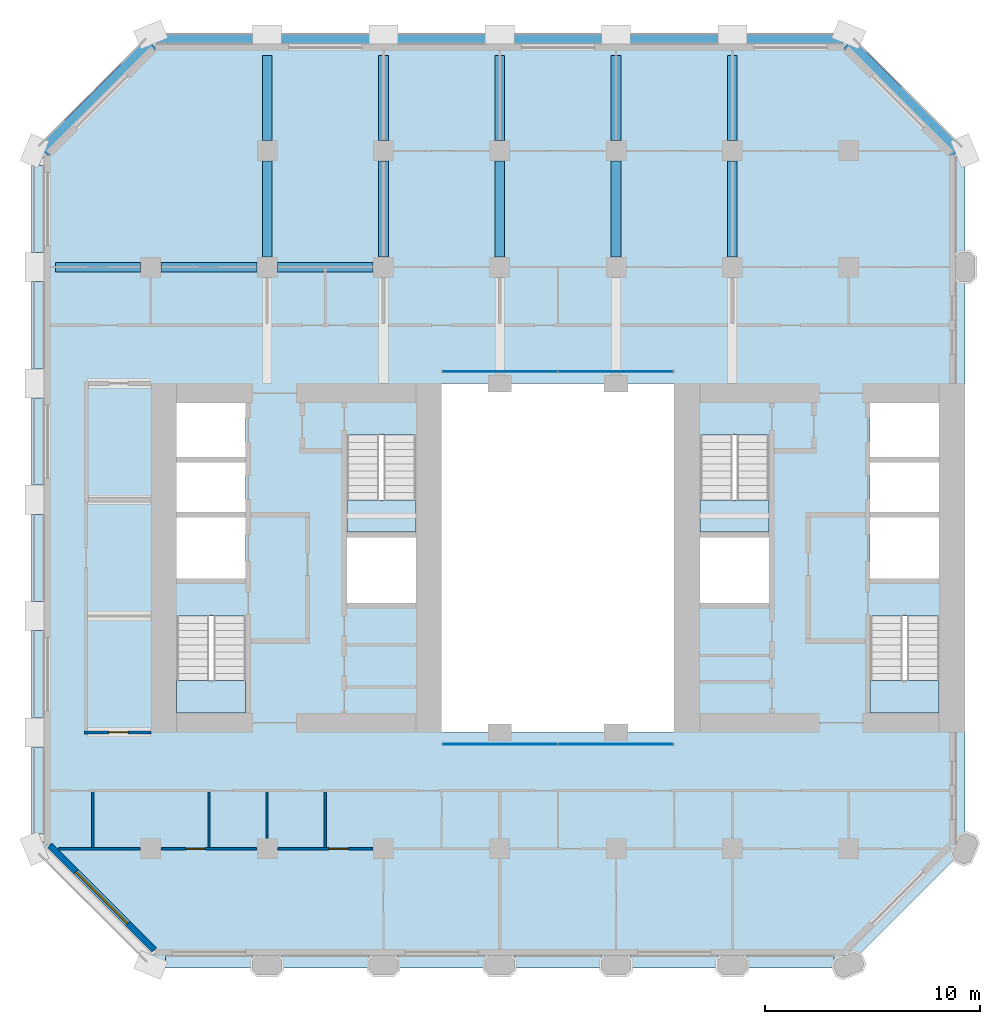
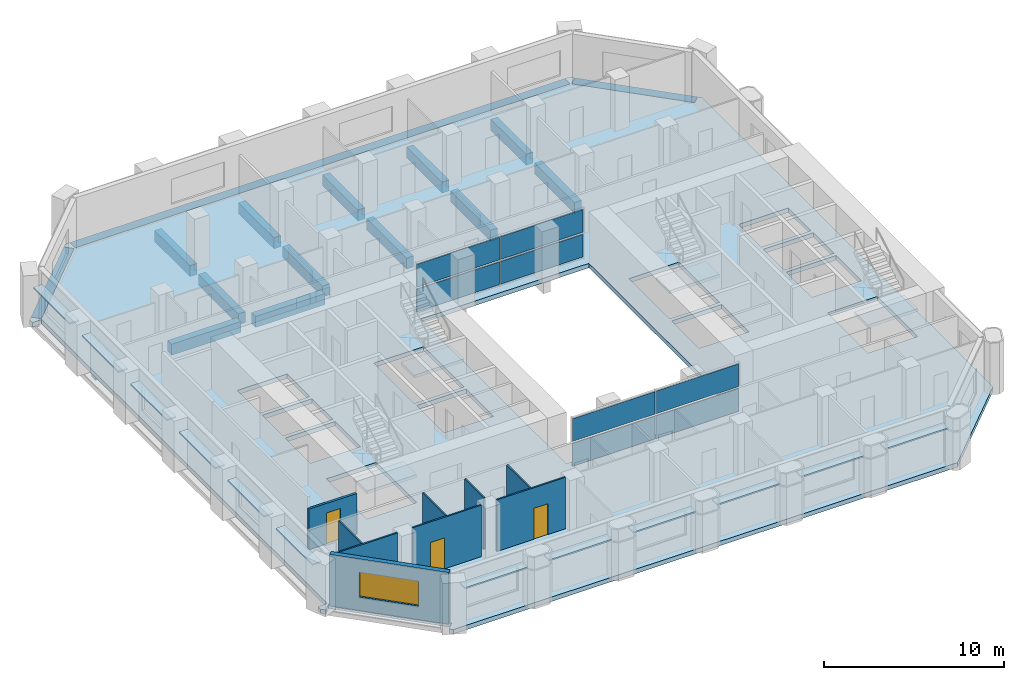
# One storey, part 5 of 13: 20 plates, 16 beams, 9 walls, 5 slabs, 3 doors, 1 window, 4 openings, 6 elements without a shape of their own.
"""IFC4 building model written with IfcOpenShell, lengths in metres."""

from ifc_helpers import new_model, si_unit, direction, frame, frame_2d, origin, origin_2d, place, context, subcontext, project, spatial, polyline, rectangle, outline, extrude, material, layer, layer_set, material_profile, profile_set, type_object, element, fill, aggregate, save


model = new_model("IFC4")

# Units and contexts
model_context = context("Model", 3, precision=1e-05, world=origin(), true_north=direction((0.0, 1.0)))
body_context = subcontext(model_context, "Body", "Model", "MODEL_VIEW")
ifc_project = project(units=[si_unit("LENGTHUNIT", "METRE"), si_unit("AREAUNIT", "SQUARE_METRE"), si_unit("VOLUMEUNIT", "CUBIC_METRE"), si_unit("PLANEANGLEUNIT", "RADIAN"), si_unit("MASSUNIT", "GRAM", prefix="KILO")], contexts=[model_context])

# Site, building, storey
site_placement = place(None, origin())
site = spatial("IfcSite", under=ifc_project, at=site_placement, CompositionType="ELEMENT")
building_placement = place(site_placement, origin())
building = spatial("IfcBuilding", under=site, at=building_placement, Name="Tabaq Tower and Sports Hall", CompositionType="ELEMENT")
storey_placement = place(building_placement, frame((0.0, 0.0, 118.199951171875)))
storey = spatial("IfcBuildingStorey", under=building, at=storey_placement, Name="L28", CompositionType="ELEMENT", Elevation=118.199951171875)

# Beams
ifc_material_1 = material(Name="Concrete C40/50", Category="concrete")
ifc_material_profile_1 = material_profile(ifc_material_1, rectangle(XDim=0.449951171875, YDim=0.75, at=origin_2d()), Name="CB 450x750")
ifc_profile_set_1 = profile_set([ifc_material_profile_1], Name="Concrete C40/50")
beam_type_1 = type_object("IfcBeamType", Name="PT CANTILEVER BEAM CB 450x750 C40/50", PredefinedType="BEAM", material=ifc_profile_set_1)
beam_1_placement = place(storey_placement, frame((0.97509765625, 37.800048828125, -0.675048828125), z_axis=(1.0, 0.0, 0.0), x_axis=(0.0, 1.0, 0.0)))
element("IfcBeam", 1, at=beam_1_placement, inside=storey, type_object=beam_type_1, Name="Cantilever Beam L28 W7 span 1", PredefinedType="BEAM", context=body_context, shape_type="SweptSolid", body=[
    extrude(rectangle(XDim=0.449951171875, YDim=0.75, at=origin_2d()), origin(), (0.0, 0.0, 1.0), 3.949951171875),
])
beam_2_placement = place(storey_placement, frame((5.875, 37.800048828125, -0.675048828125), z_axis=(1.0, 0.0, 0.0), x_axis=(0.0, 1.0, 0.0)))
element("IfcBeam", 2, at=beam_2_placement, inside=storey, type_object=beam_type_1, Name="Cantilever Beam L28 W7 span 2", PredefinedType="BEAM", context=body_context, shape_type="SweptSolid", body=[
    extrude(rectangle(XDim=0.449951171875, YDim=0.75, at=origin_2d()), origin(), (0.0, 0.0, 1.0), 4.449951171875),
])
beam_3_placement = place(storey_placement, frame((11.27490234375, 37.800048828125, -0.675048828125), z_axis=(1.0, 0.0, 0.0), x_axis=(0.0, 1.0, 0.0)))
element("IfcBeam", 3, at=beam_3_placement, inside=storey, type_object=beam_type_1, Name="Cantilever Beam L28 W7 span 3", PredefinedType="BEAM", context=body_context, shape_type="SweptSolid", body=[
    extrude(rectangle(XDim=0.449951171875, YDim=0.75, at=origin_2d()), origin(), (0.0, 0.0, 1.0), 4.4501953125),
])
beam_4_placement = place(storey_placement, frame((10.800048828125, 47.625, -0.675048828125), z_axis=(0.0, -1.0, 0.0), x_axis=(1.0, 0.0, 0.0)))
element("IfcBeam", 4, at=beam_4_placement, inside=storey, type_object=beam_type_1, Name="Cantilever Beam L28 N2 span 1", PredefinedType="BEAM", context=body_context, shape_type="SweptSolid", body=[
    extrude(rectangle(XDim=0.449951171875, YDim=0.75, at=origin_2d()), origin(), (0.0, 0.0, 1.0), 3.949951171875),
])
beam_5_placement = place(storey_placement, frame((10.800048828125, 42.72509765625, -0.675048828125), z_axis=(0.0, -1.0, 0.0), x_axis=(1.0, 0.0, 0.0)))
element("IfcBeam", 5, at=beam_5_placement, inside=storey, type_object=beam_type_1, Name="Cantilever Beam L28 N2 span 2", PredefinedType="BEAM", context=body_context, shape_type="SweptSolid", body=[
    extrude(rectangle(XDim=0.449951171875, YDim=0.75, at=origin_2d()), origin(), (0.0, 0.0, 1.0), 4.4501953125),
])
beam_6_placement = place(storey_placement, frame((16.199951171875, 47.625, -0.675048828125), z_axis=(0.0, -1.0, 0.0), x_axis=(1.0, 0.0, 0.0)))
element("IfcBeam", 6, at=beam_6_placement, inside=storey, type_object=beam_type_1, Name="Cantilever Beam L28 N3 span 1", PredefinedType="BEAM", context=body_context, shape_type="SweptSolid", body=[
    extrude(rectangle(XDim=0.449951171875, YDim=0.75, at=origin_2d()), origin(), (0.0, 0.0, 1.0), 3.949951171875),
])
beam_7_placement = place(storey_placement, frame((16.199951171875, 42.72509765625, -0.675048828125), z_axis=(0.0, -1.0, 0.0), x_axis=(1.0, 0.0, 0.0)))
element("IfcBeam", 7, at=beam_7_placement, inside=storey, type_object=beam_type_1, Name="Cantilever Beam L28 N3 span 2", PredefinedType="BEAM", context=body_context, shape_type="SweptSolid", body=[
    extrude(rectangle(XDim=0.449951171875, YDim=0.75, at=origin_2d()), origin(), (0.0, 0.0, 1.0), 4.4501953125),
])
beam_8_placement = place(storey_placement, frame((21.60009765625, 47.625, -0.675048828125), z_axis=(0.0, -1.0, 0.0), x_axis=(1.0, 0.0, 0.0)))
element("IfcBeam", 8, at=beam_8_placement, inside=storey, type_object=beam_type_1, Name="Cantilever Beam L28 N4 span 1", PredefinedType="BEAM", context=body_context, shape_type="SweptSolid", body=[
    extrude(rectangle(XDim=0.449951171875, YDim=0.75, at=origin_2d()), origin(), (0.0, 0.0, 1.0), 3.949951171875),
])
beam_9_placement = place(storey_placement, frame((21.60009765625, 42.72509765625, -0.675048828125), z_axis=(0.0, -1.0, 0.0), x_axis=(1.0, 0.0, 0.0)))
element("IfcBeam", 9, at=beam_9_placement, inside=storey, type_object=beam_type_1, Name="Cantilever Beam L28 N4 span 2", PredefinedType="BEAM", context=body_context, shape_type="SweptSolid", body=[
    extrude(rectangle(XDim=0.449951171875, YDim=0.75, at=origin_2d()), origin(), (0.0, 0.0, 1.0), 4.4501953125),
])
beam_10_placement = place(storey_placement, frame((27.0, 47.625, -0.675048828125), z_axis=(0.0, -1.0, 0.0), x_axis=(1.0, 0.0, 0.0)))
element("IfcBeam", 10, at=beam_10_placement, inside=storey, type_object=beam_type_1, Name="Cantilever Beam L28 N5 span 1", PredefinedType="BEAM", context=body_context, shape_type="SweptSolid", body=[
    extrude(rectangle(XDim=0.449951171875, YDim=0.75, at=origin_2d()), origin(), (0.0, 0.0, 1.0), 3.949951171875),
])
beam_11_placement = place(storey_placement, frame((27.0, 42.72509765625, -0.675048828125), z_axis=(0.0, -1.0, 0.0), x_axis=(1.0, 0.0, 0.0)))
element("IfcBeam", 11, at=beam_11_placement, inside=storey, type_object=beam_type_1, Name="Cantilever Beam L28 N5 span 2", PredefinedType="BEAM", context=body_context, shape_type="SweptSolid", body=[
    extrude(rectangle(XDim=0.449951171875, YDim=0.75, at=origin_2d()), origin(), (0.0, 0.0, 1.0), 4.4501953125),
])
beam_12_placement = place(storey_placement, frame((32.39990234375, 47.625, -0.675048828125), z_axis=(0.0, -1.0, 0.0), x_axis=(1.0, 0.0, 0.0)))
element("IfcBeam", 12, at=beam_12_placement, inside=storey, type_object=beam_type_1, Name="Cantilever Beam L28 N6 span 1", PredefinedType="BEAM", context=body_context, shape_type="SweptSolid", body=[
    extrude(rectangle(XDim=0.449951171875, YDim=0.75, at=origin_2d()), origin(), (0.0, 0.0, 1.0), 3.949951171875),
])
beam_13_placement = place(storey_placement, frame((32.39990234375, 42.72509765625, -0.675048828125), z_axis=(0.0, -1.0, 0.0), x_axis=(1.0, 0.0, 0.0)))
element("IfcBeam", 13, at=beam_13_placement, inside=storey, type_object=beam_type_1, Name="Cantilever Beam L28 N6 span 2", PredefinedType="BEAM", context=body_context, shape_type="SweptSolid", body=[
    extrude(rectangle(XDim=0.449951171875, YDim=0.75, at=origin_2d()), origin(), (0.0, 0.0, 1.0), 4.4501953125),
])
ifc_material_2 = material(Name="Concrete C40/50", Category="concrete")
ifc_material_profile_2 = material_profile(ifc_material_2, rectangle(XDim=0.60009765625, YDim=0.300048828125, at=origin_2d()), Name="EB 600x300")
ifc_profile_set_2 = profile_set([ifc_material_profile_2], Name="Concrete C40/50")
beam_type_2 = type_object("IfcBeamType", Name="PT EDGE BEAM EB 600x300 C40/50", PredefinedType="SPANDREL", material=ifc_profile_set_2)
beam_14_placement = place(storey_placement, frame((42.81103515625, 43.16455078125, -0.14990234375), z_axis=(-0.707089559252, 0.707124002701, 0.0), x_axis=(-0.707124002701, -0.707089559252, 0.0)))
element("IfcBeam", 14, at=beam_14_placement, inside=storey, type_object=beam_type_2, Name="Edge Beam L28 1", PredefinedType="SPANDREL", context=body_context, shape_type="SweptSolid", body=[
    extrude(rectangle(XDim=0.60009765625, YDim=0.300048828125, at=origin_2d()), origin(), (0.0, 0.0, 1.0), 7.088134765625),
])
beam_15_placement = place(storey_placement, frame((37.50146484375, 48.300048828125, -0.14990234375), z_axis=(-1.0, 0.0, 0.0), x_axis=(0.0, -1.0, 0.0)))
element("IfcBeam", 15, at=beam_15_placement, inside=storey, type_object=beam_type_2, Name="Edge Beam L28 2", PredefinedType="SPANDREL", context=body_context, shape_type="SweptSolid", body=[
    extrude(rectangle(XDim=0.60009765625, YDim=0.300048828125, at=origin_2d()), origin(), (0.0, 0.0, 1.0), 31.802978515625),
])
beam_16_placement = place(storey_placement, frame((5.401123046875, 48.1767578125, -0.14990234375), z_axis=(-0.707106781187, -0.707106781187, 0.0), x_axis=(0.707106781187, -0.707106781187, 0.0)))
element("IfcBeam", 16, at=beam_16_placement, inside=storey, type_object=beam_type_2, Name="Edge Beam L28 3", PredefinedType="SPANDREL", context=body_context, shape_type="SweptSolid", body=[
    extrude(rectangle(XDim=0.60009765625, YDim=0.300048828125, at=origin_2d()), origin(), (0.0, 0.0, 1.0), 7.03955078125),
])

# Curtain wall, plates
ifc_material_3 = material(Name="Aluminium alloy 6063-T6 framed glazing", Category="aluminium")
curtain_wall_type = type_object("IfcCurtainWallType", Name="CW1 curtain wall", PredefinedType="USERDEFINED", material=ifc_material_3)
curtain_wall_1_placement = place(storey_placement, origin())
curtain_wall_1 = element("IfcCurtainWall", 17, at=curtain_wall_1_placement, inside=storey, type_object=curtain_wall_type, Name="Atrium glazing L28 S", ObjectType="ATRIUM ENCLOSURE", PredefinedType="USERDEFINED")
ifc_material_4 = material(Name="Clear low-emissivity glass 28 mm", Category="glass")
ifc_layer_1 = layer(ifc_material_4, 0.028076171875)
ifc_layer_set_1 = layer_set([ifc_layer_1], Name="CW1 glass panel 28")
plate_type_1 = type_object("IfcPlateType", Name="CW1 glass panel 28", PredefinedType="CURTAIN_PANEL", material=ifc_layer_set_1)
plate_1_placement = place(storey_placement, frame((21.614990234375, 15.64990234375, 0.14013671875), z_axis=(0.0, 0.0, 1.0), x_axis=(1.0, 0.0, 0.0)))
plate_1 = element("IfcPlate", 18, at=plate_1_placement, type_object=plate_type_1, Name="CW1 panel 1.1", PredefinedType="CURTAIN_PANEL", context=body_context, shape_type="SweptSolid", body=[
    extrude(rectangle(XDim=5.31005859375, YDim=0.028076171875, at=origin_2d()), origin(), (0.0, 0.0, 1.0), 1.5400390625),
])
plate_2_placement = place(storey_placement, frame((21.614990234375, 15.64990234375, 1.820068359375), z_axis=(0.0, 0.0, 1.0), x_axis=(1.0, 0.0, 0.0)))
plate_2 = element("IfcPlate", 19, at=plate_2_placement, type_object=plate_type_1, Name="CW1 panel 1.2", PredefinedType="CURTAIN_PANEL", context=body_context, shape_type="SweptSolid", body=[
    extrude(rectangle(XDim=5.31005859375, YDim=0.028076171875, at=origin_2d()), origin(), (0.0, 0.0, 1.0), 1.5400390625),
])
plate_3_placement = place(storey_placement, frame((26.985107421875, 15.64990234375, 0.14013671875), z_axis=(0.0, 0.0, 1.0), x_axis=(1.0, 0.0, 0.0)))
plate_3 = element("IfcPlate", 20, at=plate_3_placement, type_object=plate_type_1, Name="CW1 panel 2.1", PredefinedType="CURTAIN_PANEL", context=body_context, shape_type="SweptSolid", body=[
    extrude(rectangle(XDim=5.31005859375, YDim=0.028076171875, at=origin_2d()), origin(), (0.0, 0.0, 1.0), 1.5400390625),
])
plate_4_placement = place(storey_placement, frame((26.985107421875, 15.64990234375, 1.820068359375), z_axis=(0.0, 0.0, 1.0), x_axis=(1.0, 0.0, 0.0)))
plate_4 = element("IfcPlate", 21, at=plate_4_placement, type_object=plate_type_1, Name="CW1 panel 2.2", PredefinedType="CURTAIN_PANEL", context=body_context, shape_type="SweptSolid", body=[
    extrude(rectangle(XDim=5.31005859375, YDim=0.028076171875, at=origin_2d()), origin(), (0.0, 0.0, 1.0), 1.5400390625),
])
aggregate(curtain_wall_1, [plate_1, plate_2, plate_3, plate_4])

curtain_wall_2_placement = place(storey_placement, origin())
curtain_wall_2 = element("IfcCurtainWall", 22, at=curtain_wall_2_placement, inside=storey, type_object=curtain_wall_type, Name="Atrium glazing L28 N", ObjectType="ATRIUM ENCLOSURE", PredefinedType="USERDEFINED")
plate_5_placement = place(storey_placement, frame((21.614990234375, 32.949951171875, 0.14013671875), z_axis=(0.0, 0.0, 1.0), x_axis=(1.0, 0.0, 0.0)))
plate_5 = element("IfcPlate", 23, at=plate_5_placement, type_object=plate_type_1, Name="CW1 panel 1.1", PredefinedType="CURTAIN_PANEL", context=body_context, shape_type="SweptSolid", body=[
    extrude(rectangle(XDim=5.31005859375, YDim=0.028076171875, at=origin_2d()), origin(), (0.0, 0.0, 1.0), 1.5400390625),
])
plate_6_placement = place(storey_placement, frame((21.614990234375, 32.949951171875, 1.820068359375), z_axis=(0.0, 0.0, 1.0), x_axis=(1.0, 0.0, 0.0)))
plate_6 = element("IfcPlate", 24, at=plate_6_placement, type_object=plate_type_1, Name="CW1 panel 1.2", PredefinedType="CURTAIN_PANEL", context=body_context, shape_type="SweptSolid", body=[
    extrude(rectangle(XDim=5.31005859375, YDim=0.028076171875, at=origin_2d()), origin(), (0.0, 0.0, 1.0), 1.5400390625),
])
plate_7_placement = place(storey_placement, frame((26.985107421875, 32.949951171875, 0.14013671875), z_axis=(0.0, 0.0, 1.0), x_axis=(1.0, 0.0, 0.0)))
plate_7 = element("IfcPlate", 25, at=plate_7_placement, type_object=plate_type_1, Name="CW1 panel 2.1", PredefinedType="CURTAIN_PANEL", context=body_context, shape_type="SweptSolid", body=[
    extrude(rectangle(XDim=5.31005859375, YDim=0.028076171875, at=origin_2d()), origin(), (0.0, 0.0, 1.0), 1.5400390625),
])
plate_8_placement = place(storey_placement, frame((26.985107421875, 32.949951171875, 1.820068359375), z_axis=(0.0, 0.0, 1.0), x_axis=(1.0, 0.0, 0.0)))
plate_8 = element("IfcPlate", 26, at=plate_8_placement, type_object=plate_type_1, Name="CW1 panel 2.2", PredefinedType="CURTAIN_PANEL", context=body_context, shape_type="SweptSolid", body=[
    extrude(rectangle(XDim=5.31005859375, YDim=0.028076171875, at=origin_2d()), origin(), (0.0, 0.0, 1.0), 1.5400390625),
])
aggregate(curtain_wall_2, [plate_5, plate_6, plate_7, plate_8])

# Stair, slab
ifc_material_5 = material(Name="Concrete C40/50", Category="concrete")
stair_type = type_object("IfcStairType", Name="Exit stair", PredefinedType="HALF_TURN_STAIR", material=ifc_material_5)
stair_1_placement = place(storey_placement, origin())
stair_1 = element("IfcStair", 27, at=stair_1_placement, inside=storey, type_object=stair_type, Name="L28 Exit stair ST1", PredefinedType="HALF_TURN_STAIR")
ifc_material_6 = material(Name="Concrete C40/50", Category="concrete")
ifc_layer_2 = layer(ifc_material_6, 0.199951171875)
ifc_layer_set_2 = layer_set([ifc_layer_2], Name="Exit stair landing")
slab_type_1 = type_object("IfcSlabType", Name="Exit stair landing", PredefinedType="LANDING", material=ifc_layer_set_2)
slab_1_placement = place(storey_placement, frame((0.0, 0.0, 1.699951171875)))
slab_1 = element("IfcSlab", 28, at=slab_1_placement, type_object=slab_type_1, Name="ST1 landing 1", PredefinedType="LANDING", context=body_context, shape_type="SweptSolid", body=[
    extrude(outline(polyline([(6.60009765625, 18.60009765625), (6.60009765625, 17.10009765625), (9.800048828125, 17.10009765625), (9.800048828125, 18.60009765625), (6.60009765625, 18.60009765625)])), origin(), (0.0, 0.0, 1.0), 0.2001953125),
])
aggregate(stair_1, [slab_1])

stair_2_placement = place(storey_placement, origin())
stair_2 = element("IfcStair", 29, at=stair_2_placement, inside=storey, type_object=stair_type, Name="L28 Exit stair ST2", PredefinedType="HALF_TURN_STAIR")
slab_2_placement = place(storey_placement, frame((0.0, 0.0, 1.699951171875)))
slab_2 = element("IfcSlab", 30, at=slab_2_placement, type_object=slab_type_1, Name="ST2 landing 1", PredefinedType="LANDING", context=body_context, shape_type="SweptSolid", body=[
    extrude(outline(polyline([(14.5, 27.0), (14.5, 25.5), (17.699951171875, 25.5), (17.699951171875, 27.0), (14.5, 27.0)])), origin(), (0.0, 0.0, 1.0), 0.2001953125),
])
aggregate(stair_2, [slab_2])

stair_3_placement = place(storey_placement, origin())
stair_3 = element("IfcStair", 31, at=stair_3_placement, inside=storey, type_object=stair_type, Name="L28 Exit stair ST3", PredefinedType="HALF_TURN_STAIR")
slab_3_placement = place(storey_placement, frame((0.0, 0.0, 1.699951171875)))
slab_3 = element("IfcSlab", 32, at=slab_3_placement, type_object=slab_type_1, Name="ST3 landing 1", PredefinedType="LANDING", context=body_context, shape_type="SweptSolid", body=[
    extrude(outline(polyline([(38.800048828125, 18.60009765625), (38.800048828125, 17.10009765625), (42.0, 17.10009765625), (42.0, 18.60009765625), (38.800048828125, 18.60009765625)])), origin(), (0.0, 0.0, 1.0), 0.2001953125),
])
aggregate(stair_3, [slab_3])

stair_4_placement = place(storey_placement, origin())
stair_4 = element("IfcStair", 33, at=stair_4_placement, inside=storey, type_object=stair_type, Name="L28 Exit stair ST4", PredefinedType="HALF_TURN_STAIR")
slab_4_placement = place(storey_placement, frame((0.0, 0.0, 1.699951171875)))
slab_4 = element("IfcSlab", 34, at=slab_4_placement, type_object=slab_type_1, Name="ST4 landing 1", PredefinedType="LANDING", context=body_context, shape_type="SweptSolid", body=[
    extrude(outline(polyline([(30.89990234375, 27.0), (30.89990234375, 25.5), (34.10009765625, 25.5), (34.10009765625, 27.0), (30.89990234375, 27.0)])), origin(), (0.0, 0.0, 1.0), 0.2001953125),
])
aggregate(stair_4, [slab_4])

# Slab
ifc_material_7 = material(Name="Concrete C40/50", Category="concrete")
ifc_layer_3 = layer(ifc_material_7, 0.300048828125)
ifc_layer_set_3 = layer_set([ifc_layer_3], Name="PT FLOOR SLAB 300 C40/50")
slab_type_2 = type_object("IfcSlabType", Name="PT FLOOR SLAB 300 C40/50", PredefinedType="FLOOR", material=ifc_layer_set_3)
slab_5_placement = place(storey_placement, frame((0.0, 0.0, -0.300048828125)))
element("IfcSlab", 35, at=slab_5_placement, inside=storey, type_object=slab_type_2, Name="Floor Slab L28", PredefinedType="FLOOR", context=body_context, shape_type="SweptSolid", body=[
    extrude(outline(polyline([(0.0, 11.0986328125), (0.0, 10.800048828125), (0.211181640625, 10.5888671875), (0.63525390625, 11.01318359375), (5.6474609375, 6.0009765625), (5.57666015625, 5.930419921875), (5.22314453125, 5.57666015625), (5.39990234375, 5.39990234375), (37.800048828125, 5.39990234375), (43.199951171875, 10.800048828125), (43.199951171875, 43.199951171875), (43.023193359375, 43.376708984375), (42.669677734375, 43.023193359375), (42.598876953125, 42.952392578125), (37.5869140625, 47.964599609375), (37.657470703125, 48.035400390625), (38.010986328125, 48.388916015625), (37.800048828125, 48.60009765625), (37.50146484375, 48.60009765625), (37.50146484375, 48.10009765625), (37.50146484375, 48.0), (5.698486328125, 48.0), (5.698486328125, 48.10009765625), (5.698486328125, 48.60009765625), (5.39990234375, 48.60009765625), (5.18896484375, 48.388916015625), (5.54248046875, 48.035400390625), (5.61328125, 47.964599609375), (0.63525390625, 42.98681640625), (0.211181640625, 43.4111328125), (0.0, 43.199951171875), (0.0, 42.9013671875), (0.5, 42.9013671875), (0.60009765625, 42.9013671875), (0.60009765625, 11.0986328125), (0.5, 11.0986328125), (0.0, 11.0986328125)]), holes=[polyline([(6.60009765625, 21.599365234375), (9.800048828125, 21.599365234375), (9.800048828125, 17.10009765625), (6.60009765625, 17.10009765625), (6.60009765625, 21.599365234375)]), polyline([(17.699951171875, 25.25), (17.699951171875, 22.199951171875), (14.5, 22.199951171875), (14.5, 25.25), (17.699951171875, 25.25)]), polyline([(18.89990234375, 32.39990234375), (29.699951171875, 32.39990234375), (29.699951171875, 16.199951171875), (18.89990234375, 16.199951171875), (18.89990234375, 32.39990234375)]), polyline([(6.60009765625, 26.175048828125), (9.800048828125, 26.175048828125), (9.800048828125, 23.35009765625), (6.60009765625, 23.35009765625), (6.60009765625, 26.175048828125)]), polyline([(9.800048828125, 28.72509765625), (9.800048828125, 26.425048828125), (6.60009765625, 26.425048828125), (6.60009765625, 28.72509765625), (9.800048828125, 28.72509765625)]), polyline([(17.699951171875, 29.99951171875), (17.699951171875, 25.5), (14.5, 25.5), (14.5, 29.99951171875), (17.699951171875, 29.99951171875)]), polyline([(6.60009765625, 31.5), (9.800048828125, 31.5), (9.800048828125, 28.97509765625), (6.60009765625, 28.97509765625), (6.60009765625, 31.5)]), polyline([(42.0, 21.599365234375), (42.0, 17.10009765625), (38.800048828125, 17.10009765625), (38.800048828125, 21.599365234375), (42.0, 21.599365234375)]), polyline([(34.10009765625, 25.25), (34.10009765625, 22.199951171875), (30.89990234375, 22.199951171875), (30.89990234375, 25.25), (34.10009765625, 25.25)]), polyline([(42.0, 26.175048828125), (42.0, 23.35009765625), (38.800048828125, 23.35009765625), (38.800048828125, 26.175048828125), (42.0, 26.175048828125)]), polyline([(42.0, 28.72509765625), (42.0, 26.425048828125), (38.800048828125, 26.425048828125), (38.800048828125, 28.72509765625), (42.0, 28.72509765625)]), polyline([(34.10009765625, 29.99951171875), (34.10009765625, 25.5), (30.89990234375, 25.5), (30.89990234375, 29.99951171875), (34.10009765625, 29.99951171875)]), polyline([(42.0, 31.5), (42.0, 28.97509765625), (38.800048828125, 28.97509765625), (38.800048828125, 31.5), (42.0, 31.5)])]), origin(), (0.0, 0.0, 1.0), 0.300048828125),
])

# Plates
ifc_material_8 = material(Name="White precast concrete C60/75 blade", Category="concrete")
ifc_layer_4 = layer(ifc_material_8, 0.10009765625)
ifc_layer_set_4 = layer_set([ifc_layer_4], Name="White precast concrete C60/75 sunshade 100")
plate_type_2 = type_object("IfcPlateType", Name="White precast concrete C60/75 sunshade 100", PredefinedType="USERDEFINED", material=ifc_layer_set_4)
for number, where, z_axis, x_axis, name in (
    (36, (8.10009765625, 5.550048828125, 2.60009765625), (0.0, 0.0, 1.0), (1.0, 0.0, 0.0), "Sunshade L28 S"),
    (37, (13.5, 5.550048828125, 2.60009765625), (0.0, 0.0, 1.0), (1.0, 0.0, 0.0), "Sunshade L28 S"),
    (38, (18.89990234375, 5.550048828125, 2.60009765625), (0.0, 0.0, 1.0), (1.0, 0.0, 0.0), "Sunshade L28 S"),
    (39, (24.300048828125, 5.550048828125, 2.60009765625), (0.0, 0.0, 1.0), (1.0, 0.0, 0.0), "Sunshade L28 S"),
    (40, (29.699951171875, 5.550048828125, 2.60009765625), (0.0, 0.0, 1.0), (1.0, 0.0, 0.0), "Sunshade L28 S"),
    (41, (35.10009765625, 5.550048828125, 2.60009765625), (0.0, 0.0, 1.0), (1.0, 0.0, 0.0), "Sunshade L28 S"),
    (42, (0.14990234375, 40.5, 2.60009765625), (0.0, 0.0, 1.0), (0.0, -1.0, 0.0), "Sunshade L28 W"),
    (43, (0.14990234375, 35.10009765625, 2.60009765625), (0.0, 0.0, 1.0), (0.0, -1.0, 0.0), "Sunshade L28 W"),
    (44, (0.14990234375, 29.699951171875, 2.60009765625), (0.0, 0.0, 1.0), (0.0, -1.0, 0.0), "Sunshade L28 W"),
    (45, (0.14990234375, 24.300048828125, 2.60009765625), (0.0, 0.0, 1.0), (0.0, -1.0, 0.0), "Sunshade L28 W"),
    (46, (0.14990234375, 18.89990234375, 2.60009765625), (0.0, 0.0, 1.0), (0.0, -1.0, 0.0), "Sunshade L28 W"),
    (47, (0.14990234375, 13.5, 2.60009765625), (0.0, 0.0, 1.0), (0.0, -1.0, 0.0), "Sunshade L28 W"),
):
    element("IfcPlate", number, at=place(storey_placement, frame(where, z_axis=z_axis, x_axis=x_axis)), inside=storey, type_object=plate_type_2, Name=name, ObjectType="SUNSHADE", PredefinedType="USERDEFINED", context=body_context, shape_type="SweptSolid", body=[
        extrude(rectangle(XDim=4.050048828125, YDim=0.60009765625, at=origin_2d()), origin(), (0.0, 0.0, 1.0), 0.10009765625),
    ])

# Walls
ifc_material_9 = material(Name="Gypsum board on steel studs", Category="steel")
ifc_layer_5 = layer(ifc_material_9, 0.10009765625)
ifc_layer_set_5 = layer_set([ifc_layer_5], Name="Partition 100 Gypsum board")
wall_type_1 = type_object("IfcWallType", Name="Partition 100 Gypsum board", PredefinedType="PARTITIONING", material=ifc_layer_set_5)
wall_1_placement = place(storey_placement, frame((2.699951171875, 10.85009765625, 0.0), z_axis=(0.0, 0.0, 1.0), x_axis=(0.0, 1.0, 0.0)))
element("IfcWall", 48, at=wall_1_placement, inside=storey, type_object=wall_type_1, Name="Partition wall L28", PredefinedType="PARTITIONING", context=body_context, shape_type="SweptSolid", body=[
    extrude(rectangle(XDim=2.574951171875, YDim=0.10009765625, at=frame_2d((1.28759765625, 0.0))), origin(), (0.0, 0.0, 1.0), 3.5),
])
wall_2_placement = place(storey_placement, frame((1.112060546875, 10.800048828125, 0.0), z_axis=(0.0, 0.0, 1.0), x_axis=(1.0, 0.0, 0.0)))
element("IfcWall", 49, at=wall_2_placement, inside=storey, type_object=wall_type_1, Name="Partition wall L28", PredefinedType="PARTITIONING", context=body_context, shape_type="SweptSolid", body=[
    extrude(rectangle(XDim=3.79296875, YDim=0.10009765625, at=frame_2d((1.896484375, 0.0))), origin(), (0.0, 0.0, 1.0), 3.5),
])
wall_3_placement = place(storey_placement, frame((8.10009765625, 10.85009765625, 0.0), z_axis=(0.0, 0.0, 1.0), x_axis=(0.0, 1.0, 0.0)))
element("IfcWall", 50, at=wall_3_placement, inside=storey, type_object=wall_type_1, Name="Partition wall L28", PredefinedType="PARTITIONING", context=body_context, shape_type="SweptSolid", body=[
    extrude(rectangle(XDim=2.574951171875, YDim=0.10009765625, at=frame_2d((1.28759765625, 0.0))), origin(), (0.0, 0.0, 1.0), 3.5),
])

# Wall, opening, door
wall_4_placement = place(storey_placement, frame((5.89501953125, 10.800048828125, 0.0), z_axis=(0.0, 0.0, 1.0), x_axis=(1.0, 0.0, 0.0)))
wall_4 = element("IfcWall", 51, at=wall_4_placement, inside=storey, type_object=wall_type_1, Name="Partition wall L28", PredefinedType="PARTITIONING", context=body_context, shape_type="SweptSolid", body=[
    extrude(rectangle(XDim=4.409912109375, YDim=0.10009765625, at=frame_2d((2.205078125, 0.0))), origin(), (0.0, 0.0, 1.0), 3.5),
])
opening_1_placement = place(wall_4_placement, frame((1.135009765625, 0.0, 0.0)))
opening_1 = element("IfcOpeningElement", 52, at=opening_1_placement, cuts=wall_4, Name="Opening L28-018", PredefinedType="OPENING", context=body_context, shape_type="SweptSolid", body=[
    extrude(rectangle(XDim=0.89990234375, YDim=2.10009765625, at=frame_2d((0.449951171875, 1.050048828125))), frame((0.0, 0.050048828125, 0.0), z_axis=(0.0, -1.0, 0.0), x_axis=(1.0, 0.0, 0.0)), (0.0, 0.0, 1.0), 0.10009765625),
])
ifc_material_10 = material(Name="Timber leaf in steel frame", Category="steel")
door_type_1 = type_object("IfcDoorType", Name="Internal door 900 left hand", OperationType="SINGLE_SWING_LEFT", PredefinedType="DOOR", material=ifc_material_10)
door_1_placement = place(opening_1_placement, origin())
door_1 = element("IfcDoor", 53, at=door_1_placement, inside=storey, type_object=door_type_1, Name="Internal door L28-018", OperationType="SINGLE_SWING_LEFT", OverallHeight=2.10009765625, OverallWidth=0.89990234375, PredefinedType="DOOR", context=body_context, shape_type="SweptSolid", body=[
    extrude(rectangle(XDim=0.89990234375, YDim=2.10009765625, at=frame_2d((0.449951171875, 1.050048828125))), frame((0.0, 0.02490234375, 0.0), z_axis=(0.0, -1.0, 0.0), x_axis=(1.0, 0.0, 0.0)), (0.0, 0.0, 1.0), 0.050048828125),
])
fill(opening_1, door_1)

# Walls
wall_5_placement = place(storey_placement, frame((10.800048828125, 11.294921875, 0.0), z_axis=(0.0, 0.0, 1.0), x_axis=(0.0, 1.0, 0.0)))
element("IfcWall", 54, at=wall_5_placement, inside=storey, type_object=wall_type_1, Name="Partition wall L28", PredefinedType="PARTITIONING", context=body_context, shape_type="SweptSolid", body=[
    extrude(rectangle(XDim=2.130126953125, YDim=0.10009765625, at=frame_2d((1.06494140625, 0.0))), origin(), (0.0, 0.0, 1.0), 3.5),
])
wall_6_placement = place(storey_placement, frame((13.5, 10.85009765625, 0.0), z_axis=(0.0, 0.0, 1.0), x_axis=(0.0, 1.0, 0.0)))
element("IfcWall", 55, at=wall_6_placement, inside=storey, type_object=wall_type_1, Name="Partition wall L28", PredefinedType="PARTITIONING", context=body_context, shape_type="SweptSolid", body=[
    extrude(rectangle(XDim=2.574951171875, YDim=0.10009765625, at=frame_2d((1.28759765625, 0.0))), origin(), (0.0, 0.0, 1.0), 3.5),
])

# Wall, opening, door
wall_7_placement = place(storey_placement, frame((11.294921875, 10.800048828125, 0.0), z_axis=(0.0, 0.0, 1.0), x_axis=(1.0, 0.0, 0.0)))
wall_7 = element("IfcWall", 56, at=wall_7_placement, inside=storey, type_object=wall_type_1, Name="Partition wall L28", PredefinedType="PARTITIONING", context=body_context, shape_type="SweptSolid", body=[
    extrude(rectangle(XDim=4.41015625, YDim=0.10009765625, at=frame_2d((2.205078125, 0.0))), origin(), (0.0, 0.0, 1.0), 3.5),
])
opening_2_placement = place(wall_7_placement, frame((2.375, 0.0, 0.0)))
opening_2 = element("IfcOpeningElement", 57, at=opening_2_placement, cuts=wall_7, Name="Opening L28-035", PredefinedType="OPENING", context=body_context, shape_type="SweptSolid", body=[
    extrude(rectangle(XDim=0.89990234375, YDim=2.10009765625, at=frame_2d((0.449951171875, 1.050048828125))), frame((0.0, 0.050048828125, 0.0), z_axis=(0.0, -1.0, 0.0), x_axis=(1.0, 0.0, 0.0)), (0.0, 0.0, 1.0), 0.10009765625),
])
door_2_placement = place(opening_2_placement, origin())
door_2 = element("IfcDoor", 58, at=door_2_placement, inside=storey, type_object=door_type_1, Name="Internal door L28-035", OperationType="SINGLE_SWING_LEFT", OverallHeight=2.10009765625, OverallWidth=0.89990234375, PredefinedType="DOOR", context=body_context, shape_type="SweptSolid", body=[
    extrude(rectangle(XDim=0.89990234375, YDim=2.10009765625, at=frame_2d((0.449951171875, 1.050048828125))), frame((0.0, 0.02490234375, 0.0), z_axis=(0.0, -1.0, 0.0), x_axis=(1.0, 0.0, 0.0)), (0.0, 0.0, 1.0), 0.050048828125),
])
fill(opening_2, door_2)

ifc_material_11 = material(Name="Blockwork", Category="masonry")
ifc_layer_6 = layer(ifc_material_11, 0.14990234375)
ifc_layer_set_6 = layer_set([ifc_layer_6], Name="Separating wall 150 Blockwork")
wall_type_2 = type_object("IfcWallType", Name="Separating wall 150 Blockwork", PredefinedType="PARTITIONING", material=ifc_layer_set_6)
wall_8_placement = place(storey_placement, frame((5.39990234375, 16.199951171875, 0.0), z_axis=(0.0, 0.0, 1.0), x_axis=(-1.0, 0.0, 0.0)))
wall_8 = element("IfcWall", 59, at=wall_8_placement, inside=storey, type_object=wall_type_2, Name="Separating wall L28", PredefinedType="PARTITIONING", context=body_context, shape_type="SweptSolid", body=[
    extrude(rectangle(XDim=3.074951171875, YDim=0.14990234375, at=frame_2d((1.53759765625, 0.0))), origin(), (0.0, 0.0, 1.0), 2.75),
])
opening_3_placement = place(wall_8_placement, frame((1.050048828125, 0.0, 0.0)))
opening_3 = element("IfcOpeningElement", 60, at=opening_3_placement, cuts=wall_8, Name="Opening L28-008", PredefinedType="OPENING", context=body_context, shape_type="SweptSolid", body=[
    extrude(rectangle(XDim=0.89990234375, YDim=2.10009765625, at=frame_2d((0.449951171875, 1.050048828125))), frame((0.0, 0.074951171875, 0.0), z_axis=(0.0, -1.0, 0.0), x_axis=(1.0, 0.0, 0.0)), (0.0, 0.0, 1.0), 0.14990234375),
])
ifc_material_12 = material(Name="Timber leaf in steel frame", Category="steel")
door_type_2 = type_object("IfcDoorType", Name="Internal door 900 right hand", OperationType="SINGLE_SWING_RIGHT", PredefinedType="DOOR", material=ifc_material_12)
door_3_placement = place(opening_3_placement, origin())
door_3 = element("IfcDoor", 61, at=door_3_placement, inside=storey, type_object=door_type_2, Name="Internal door L28-008", OperationType="SINGLE_SWING_RIGHT", OverallHeight=2.10009765625, OverallWidth=0.89990234375, PredefinedType="DOOR", context=body_context, shape_type="SweptSolid", body=[
    extrude(rectangle(XDim=0.89990234375, YDim=2.10009765625, at=frame_2d((0.449951171875, 1.050048828125))), frame((0.0, 0.02490234375, 0.0), z_axis=(0.0, -1.0, 0.0), x_axis=(1.0, 0.0, 0.0)), (0.0, 0.0, 1.0), 0.050048828125),
])
fill(opening_3, door_3)

# Wall, opening, window
ifc_material_13 = material(Name="White precast concrete C60/75", Category="concrete")
ifc_layer_7 = layer(ifc_material_13, 0.300048828125)
ifc_layer_set_7 = layer_set([ifc_layer_7], Name="White precast concrete C60/75 external wall 300")
wall_type_3 = type_object("IfcWallType", Name="White precast concrete C60/75 external wall 300", PredefinedType="SOLIDWALL", material=ifc_layer_set_7)
wall_9_placement = place(storey_placement, frame((0.698974609375, 10.949462890625, 0.0), z_axis=(0.0, 0.0, 1.0), x_axis=(0.707106781187, -0.707106781187, 0.0)))
wall_9 = element("IfcWall", 62, at=wall_9_placement, inside=storey, type_object=wall_type_3, Name="External Wall L28 SW", PredefinedType="SOLIDWALL", context=body_context, shape_type="SweptSolid", body=[
    extrude(rectangle(XDim=6.85986328125, YDim=0.300048828125, at=frame_2d((3.429931640625, 0.0))), origin(), (0.0, 0.0, 1.0), 3.5),
])
opening_4_placement = place(wall_9_placement, frame((1.729736328125, 0.0, 0.89990234375)))
opening_4 = element("IfcOpeningElement", 63, at=opening_4_placement, cuts=wall_9, Name="Opening W1A", PredefinedType="OPENING", context=body_context, shape_type="SweptSolid", body=[
    extrude(rectangle(XDim=3.39990234375, YDim=1.699951171875, at=frame_2d((1.699951171875, 0.85009765625))), frame((0.0, 0.16015625, 0.0), z_axis=(0.0, -1.0, 0.0), x_axis=(1.0, 0.0, 0.0)), (0.0, 0.0, 1.0), 0.320068359375),
])
ifc_material_14 = material(Name="Aluminium framed clear glazing", Category="aluminium")
window_type = type_object("IfcWindowType", Name="Window W1A", PartitioningType="SINGLE_PANEL", PredefinedType="WINDOW", material=ifc_material_14)
window_placement = place(opening_4_placement, origin())
window = element("IfcWindow", 64, at=window_placement, inside=storey, type_object=window_type, Name="Window W1A L28", OverallHeight=1.699951171875, OverallWidth=3.39990234375, PartitioningType="SINGLE_PANEL", PredefinedType="WINDOW", context=body_context, shape_type="SweptSolid", body=[
    extrude(rectangle(XDim=3.39990234375, YDim=1.699951171875, at=frame_2d((1.699951171875, 0.85009765625))), frame((0.0, 0.030029296875, 0.0), z_axis=(0.0, -1.0, 0.0), x_axis=(1.0, 0.0, 0.0)), (0.0, 0.0, 1.0), 0.06005859375),
])
fill(opening_4, window)

save(model, "model.ifc")
